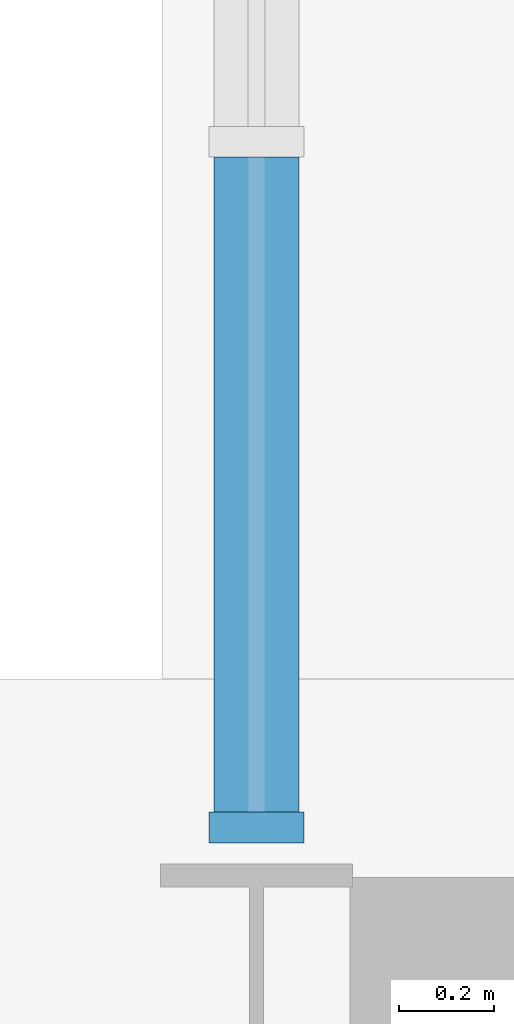
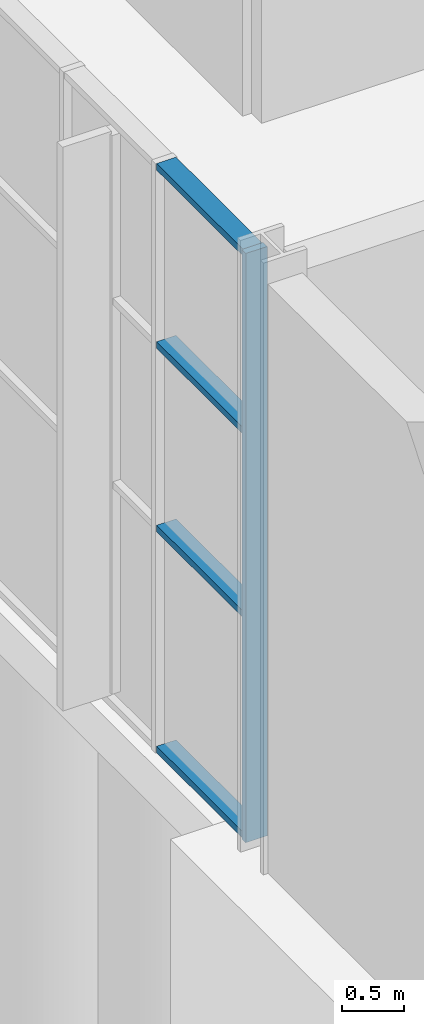
# One storey, part 39 of 131: 5 members, 1 element without a shape of its own.
"""IFC4 building model written with IfcOpenShell, lengths in metres."""

import ifcopenshell
import ifcopenshell.guid

model = None  # the IFC model being written
_history = None  # IfcOwnerHistory: only IFC2X3 demands one
_inside = {}  # id of a spatial element -> (the spatial element, [elements in it])
_under = {}  # id of a project, library or spatial element -> (it, [spatial elements below it])
_declared = {}  # id of a project -> (the project, [libraries it declares])
_typed = {}  # id of a type object -> (the type object, [elements of that type])
_made_of = {}  # id of a material, layer set ... -> (it, [elements and type objects made of it])


def new_model(schema):
    """Start an empty IFC model of exactly this schema.

    Asked for "IFC4X3", IfcOpenShell would pick the latest addendum, in which some entities
    have other attributes; the version numbers below select the first issue.
    IFC2X3 requires an IfcOwnerHistory on every rooted entity: one is made here for all.
    """
    global model, _history
    if schema == "IFC4X3":
        model = ifcopenshell.file(schema_version=(4, 3, 0, 0))
    else:
        model = ifcopenshell.file(schema=schema)
    _inside.clear()
    _under.clear()
    _declared.clear()
    _typed.clear()
    _made_of.clear()
    _history = None
    if model.schema == "IFC2X3":
        org = make("IfcOrganization", Name="unknown")
        user = make(
            "IfcPersonAndOrganization",
            ThePerson=make("IfcPerson", FamilyName="unknown"),
            TheOrganization=org,
        )
        app = make(
            "IfcApplication",
            ApplicationDeveloper=org,
            Version="unknown",
            ApplicationFullName="unknown",
            ApplicationIdentifier="unknown",
        )
        _history = make(
            "IfcOwnerHistory",
            OwningUser=user,
            OwningApplication=app,
            ChangeAction="ADDED",
            CreationDate=0,
        )
    return model


def make(cls, **values):
    """One entity of the class cls with the attributes given. An attribute that is None is left unset."""
    return model.create_entity(
        cls, **{name: value for name, value in values.items() if value is not None}
    )


def rooted(cls, **values):
    """An entity with a GlobalId (a new one), such as an element, a storey or a relation."""
    return make(cls, GlobalId=ifcopenshell.guid.new(), OwnerHistory=_history, **values)


def si_unit(unit_type, name, prefix=None):
    """IfcSIUnit, for example si_unit("LENGTHUNIT", "METRE", prefix="MILLI")."""
    return make("IfcSIUnit", UnitType=unit_type, Prefix=prefix, Name=name)


def assignment(units):
    """IfcUnitAssignment: the units of a project."""
    return None if units is None else make("IfcUnitAssignment", Units=units)


def point(xyz):
    """IfcCartesianPoint."""
    return None if xyz is None else make("IfcCartesianPoint", Coordinates=xyz)


def direction(xyz):
    """IfcDirection."""
    return None if xyz is None else make("IfcDirection", DirectionRatios=xyz)


def frame(location, z_axis=None, x_axis=None):
    """IfcAxis2Placement3D, a coordinate frame: its origin and axes. An axis left out is left unset."""
    return make(
        "IfcAxis2Placement3D",
        Location=point(location),
        Axis=direction(z_axis),
        RefDirection=direction(x_axis),
    )


def frame_2d(location, x_axis=None):
    """IfcAxis2Placement2D, a coordinate frame in the plane: its origin and x axis."""
    return make(
        "IfcAxis2Placement2D", Location=point(location), RefDirection=direction(x_axis)
    )


def origin():
    """The frame at (0, 0, 0) with its axes left unset."""
    return frame((0.0, 0.0, 0.0))


def origin_2d():
    """The frame at (0, 0) in the plane with its x axis left unset."""
    return frame_2d((0.0, 0.0))


def place(relative_to, where):
    """IfcLocalPlacement: puts the frame where relative to a parent placement (None: the world)."""
    return make(
        "IfcLocalPlacement", PlacementRelTo=relative_to, RelativePlacement=where
    )


def context(
    kind, dimensions, precision=None, world=None, true_north=None, identifier=None
):
    """IfcGeometricRepresentationContext, for example the 3D "Model" context."""
    return make(
        "IfcGeometricRepresentationContext",
        ContextIdentifier=identifier,
        ContextType=kind,
        CoordinateSpaceDimension=dimensions,
        Precision=precision,
        WorldCoordinateSystem=world,
        TrueNorth=true_north,
    )


def subcontext(parent, identifier, kind, view, scale=None):
    """IfcGeometricRepresentationSubContext, for example "Body" below "Model"."""
    return make(
        "IfcGeometricRepresentationSubContext",
        ContextIdentifier=identifier,
        ContextType=kind,
        ParentContext=parent,
        TargetScale=scale,
        TargetView=view,
    )


def project(units=None, contexts=None):
    """IfcProject with its units and contexts."""
    return rooted(
        "IfcProject",
        Name="project",
        RepresentationContexts=contexts,
        UnitsInContext=assignment(units),
    )


def spatial(cls, under=None, at=None, **own):
    """A site, building, storey or space (cls), placed at a placement, below another one or the project."""
    s = rooted(cls, ObjectPlacement=at, **own)
    if under is not None:
        _under.setdefault(under.id(), (under, []))[1].append(s)
    return s


def profile(cls, at=None, kind="AREA", **sizes):
    """A parametric profile (cls). Its sizes go by their IFC names, for example OverallWidth=200.0."""
    return make(cls, ProfileType=kind, Position=at, **sizes)


def rectangle(**sizes):
    """IfcRectangleProfileDef."""
    return profile("IfcRectangleProfileDef", **sizes)


def extrude(swept, where, along, depth):
    """IfcExtrudedAreaSolid: the profile swept, set in the frame where, extruded along a direction by depth."""
    return make(
        "IfcExtrudedAreaSolid",
        SweptArea=swept,
        Position=where,
        ExtrudedDirection=direction(along),
        Depth=depth,
    )


def shape(context_of_items, identifier, shape_type, items):
    """IfcShapeRepresentation: the items that make up one representation, for example the "Body"."""
    return make(
        "IfcShapeRepresentation",
        ContextOfItems=context_of_items,
        RepresentationIdentifier=identifier,
        RepresentationType=shape_type,
        Items=items,
    )


def material(Name=None, Category=None):
    """IfcMaterial."""
    return make("IfcMaterial", Name=Name, Category=Category)


def layer(
    of_material, thickness, ventilated=None, Name=None, Category=None, Priority=None
):
    """IfcMaterialLayer: one layer of a wall or slab, of a material (None: an air gap)."""
    return make(
        "IfcMaterialLayer",
        Material=of_material,
        LayerThickness=thickness,
        IsVentilated=ventilated,
        Name=Name,
        Category=Category,
        Priority=Priority,
    )


def layer_set(layers, Name=None):
    """IfcMaterialLayerSet."""
    return make("IfcMaterialLayerSet", MaterialLayers=layers, LayerSetName=Name)


def material_profile(
    of_material, cross_section, Name=None, Category=None, Priority=None
):
    """IfcMaterialProfile: a cross section and its material."""
    return make(
        "IfcMaterialProfile",
        Name=Name,
        Material=of_material,
        Profile=cross_section,
        Priority=Priority,
        Category=Category,
    )


def profile_set(profiles, Name=None, composite=None):
    """IfcMaterialProfileSet."""
    return make(
        "IfcMaterialProfileSet",
        Name=Name,
        MaterialProfiles=profiles,
        CompositeProfile=composite,
    )


def made_of(thing, what):
    """Note that an element or type object is made of a material, layer set ...; save() writes the relation."""
    if what is not None:
        _made_of.setdefault(what.id(), (what, []))[1].append(thing)
    return thing


def type_object(cls, material=None, **own):
    """A type object (cls), such as IfcWallType, which elements share."""
    return made_of(rooted(cls, **own), material)


def element(
    cls,
    number,
    at=None,
    inside=None,
    cuts=None,
    type_object=None,
    material=None,
    context=None,
    identifier="Body",
    shape_type=None,
    held_by="IfcProductDefinitionShape",
    body=None,
    shapes=None,
    **own,
):
    """One element of the class cls, such as IfcWall. Its Tag is "e" and its number.

    at: its placement. inside: the storey or other place that contains it. cuts: it is an
    opening in that element (IfcRelVoidsElement). A single representation is given by context,
    identifier, shape_type and body (its items); several are given by shapes. held_by: the class
    of the entity that holds the representations. save() writes the other relations.
    """
    e = rooted(cls, Tag="e%d" % number, ObjectPlacement=at, **own)
    if body is not None:
        shapes = [shape(context, identifier, shape_type, body)]
    if shapes is not None:
        e.Representation = make(held_by, Representations=shapes)
    if inside is not None:
        _inside.setdefault(inside.id(), (inside, []))[1].append(e)
    if cuts is not None:
        rooted(
            "IfcRelVoidsElement", RelatingBuildingElement=cuts, RelatedOpeningElement=e
        )
    if type_object is not None:
        _typed.setdefault(type_object.id(), (type_object, []))[1].append(e)
    return made_of(e, material)


def aggregate(whole, parts):
    """IfcRelAggregates: a whole, such as a stair, and the parts it consists of."""
    return rooted("IfcRelAggregates", RelatingObject=whole, RelatedObjects=parts)


def save(model, path):
    """Write the relations noted so far, then the file.

    IfcRelAggregates (storeys below a building ...), IfcRelContainedInSpatialStructure (elements
    in a storey), IfcRelDefinesByType, IfcRelAssociatesMaterial and IfcRelDeclares: one each for
    every whole, place, type object, material and project.
    """
    for whole, parts in _under.values():
        aggregate(whole, parts)
    for where, things in _inside.values():
        rooted(
            "IfcRelContainedInSpatialStructure",
            RelatedElements=things,
            RelatingStructure=where,
        )
    for kind, things in _typed.values():
        rooted("IfcRelDefinesByType", RelatedObjects=things, RelatingType=kind)
    for what, things in _made_of.values():
        rooted("IfcRelAssociatesMaterial", RelatedObjects=things, RelatingMaterial=what)
    for by, libraries in _declared.values():
        rooted("IfcRelDeclares", RelatingContext=by, RelatedDefinitions=libraries)
    model.write(path)


model = new_model("IFC4")

# Units and contexts
model_context = context("Model", 3, precision=1e-05, world=origin(), true_north=direction((0.0, 1.0)))
body_context = subcontext(model_context, "Body", "Model", "MODEL_VIEW")
ifc_project = project(units=[si_unit("LENGTHUNIT", "METRE"), si_unit("AREAUNIT", "SQUARE_METRE"), si_unit("VOLUMEUNIT", "CUBIC_METRE"), si_unit("PLANEANGLEUNIT", "RADIAN"), si_unit("MASSUNIT", "GRAM", prefix="KILO")], contexts=[model_context])

# Site, building, storey
site_placement = place(None, origin())
site = spatial("IfcSite", under=ifc_project, at=site_placement, CompositionType="ELEMENT")
building_placement = place(site_placement, origin())
building = spatial("IfcBuilding", under=site, at=building_placement, Name="Cazmaro Siding Exhibition Halls", CompositionType="ELEMENT")
storey_placement = place(building_placement, origin())
storey = spatial("IfcBuildingStorey", under=building, at=storey_placement, Name="L00", CompositionType="ELEMENT", Elevation=0.0)

# Curtain wall, members
ifc_material_1 = material(Name="Anodized Bronze Aluminum and Solar-Control Low-E Glazing", Category="aluminium")
ifc_layer = layer(ifc_material_1, 0.199951171875)
ifc_layer_set = layer_set([ifc_layer], Name="Anodized Bronze Aluminum and Solar-Control Low-E Glazing")
curtain_wall_type = type_object("IfcCurtainWallType", Name="CWS-02", PredefinedType="USERDEFINED", material=ifc_layer_set)
curtain_wall_placement = place(storey_placement, origin())
curtain_wall = element("IfcCurtainWall", 1, at=curtain_wall_placement, inside=storey, type_object=curtain_wall_type, Name="Glazed Curtain Wall CWS-02 CW-224", ObjectType="GLAZED CURTAIN WALL", PredefinedType="USERDEFINED")
ifc_material_2 = material(Name="Anodized Bronze Extruded Aluminum", Category="aluminium")
ifc_material_profile_1 = material_profile(ifc_material_2, rectangle(XDim=0.199951171875, YDim=0.06494140625, at=origin_2d()), Name="CWM-02")
ifc_profile_set_1 = profile_set([ifc_material_profile_1], Name="Anodized Bronze Extruded Aluminum")
member_type_1 = type_object("IfcMemberType", Name="CWM-02", PredefinedType="MULLION", material=ifc_profile_set_1)
member_1_placement = place(storey_placement, frame((0.0, 63.885498046875, 0.0), z_axis=(0.0, 0.0, 1.0), x_axis=(1.0, 0.0, 0.0)))
member_1 = element("IfcMember", 2, at=member_1_placement, type_object=member_type_1, Name="CWS-02 mullion 7", PredefinedType="MULLION", context=body_context, shape_type="SweptSolid", body=[
    extrude(rectangle(XDim=0.199951171875, YDim=0.06494140625, at=origin_2d()), origin(), (0.0, 0.0, 1.0), 5.780029296875),
])
ifc_material_3 = material(Name="Anodized Bronze Extruded Aluminum", Category="aluminium")
ifc_material_profile_2 = material_profile(ifc_material_3, rectangle(XDim=0.179931640625, YDim=0.06494140625, at=origin_2d()), Name="CWT-02")
ifc_profile_set_2 = profile_set([ifc_material_profile_2], Name="Anodized Bronze Extruded Aluminum")
member_type_2 = type_object("IfcMemberType", Name="CWT-02", PredefinedType="MULLION", material=ifc_profile_set_2)
member_2_placement = place(storey_placement, frame((0.0, 65.302734375, 0.032470703125), z_axis=(0.0, -1.0, 0.0), x_axis=(1.0, 0.0, 0.0)))
member_2 = element("IfcMember", 3, at=member_2_placement, type_object=member_type_2, Name="CWS-02 transom 6.1", ObjectType="TRANSOM", PredefinedType="USERDEFINED", context=body_context, shape_type="SweptSolid", body=[
    extrude(rectangle(XDim=0.179931640625, YDim=0.06494140625, at=origin_2d()), origin(), (0.0, 0.0, 1.0), 1.384765625),
])
member_3_placement = place(storey_placement, frame((0.0, 65.302734375, 2.199951171875), z_axis=(0.0, -1.0, 0.0), x_axis=(1.0, 0.0, 0.0)))
member_3 = element("IfcMember", 4, at=member_3_placement, type_object=member_type_2, Name="CWS-02 transom 6.2", ObjectType="TRANSOM", PredefinedType="USERDEFINED", context=body_context, shape_type="SweptSolid", body=[
    extrude(rectangle(XDim=0.179931640625, YDim=0.06494140625, at=origin_2d()), origin(), (0.0, 0.0, 1.0), 1.384765625),
])
member_4_placement = place(storey_placement, frame((0.0, 65.302734375, 4.0), z_axis=(0.0, -1.0, 0.0), x_axis=(1.0, 0.0, 0.0)))
member_4 = element("IfcMember", 5, at=member_4_placement, type_object=member_type_2, Name="CWS-02 transom 6.3", ObjectType="TRANSOM", PredefinedType="USERDEFINED", context=body_context, shape_type="SweptSolid", body=[
    extrude(rectangle(XDim=0.179931640625, YDim=0.06494140625, at=origin_2d()), origin(), (0.0, 0.0, 1.0), 1.384765625),
])
member_5_placement = place(storey_placement, frame((0.0, 65.302734375, 5.74755859375), z_axis=(0.0, -1.0, 0.0), x_axis=(1.0, 0.0, 0.0)))
member_5 = element("IfcMember", 6, at=member_5_placement, type_object=member_type_2, Name="CWS-02 transom 6.4", ObjectType="TRANSOM", PredefinedType="USERDEFINED", context=body_context, shape_type="SweptSolid", body=[
    extrude(rectangle(XDim=0.179931640625, YDim=0.06494140625, at=origin_2d()), origin(), (0.0, 0.0, 1.0), 1.384765625),
])
aggregate(curtain_wall, [member_1, member_2, member_3, member_4, member_5])

save(model, "model.ifc")
